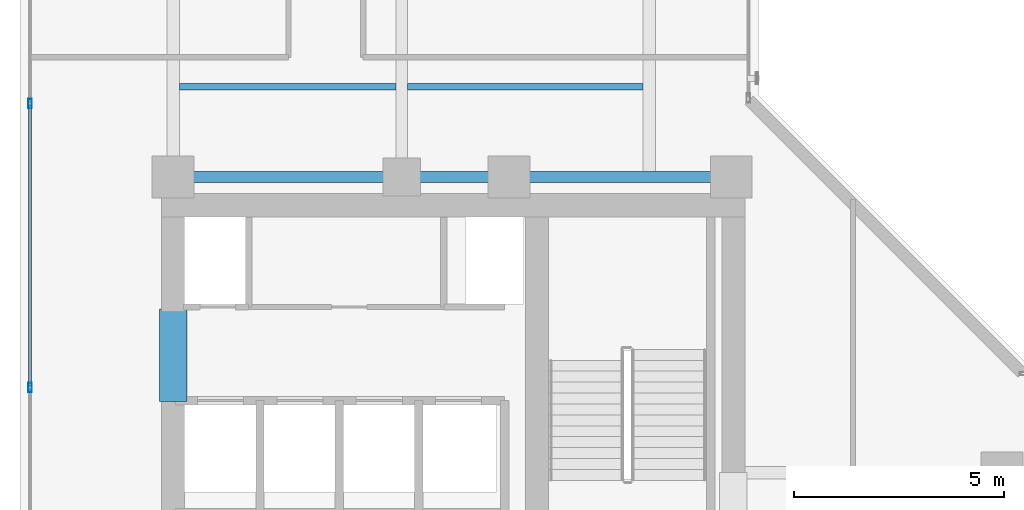
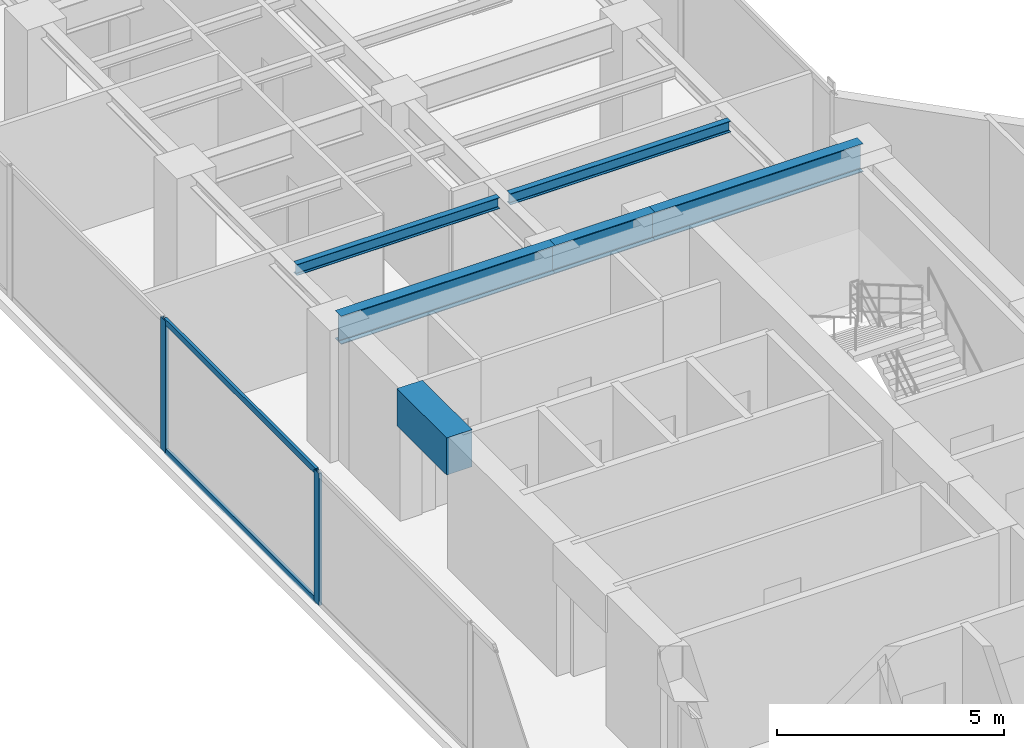
# One storey, part 7 of 22: 6 beams, 4 members, 1 element without a shape of its own.
"""IFC4 building model written with IfcOpenShell, lengths in metres."""

from ifc_helpers import new_model, si_unit, direction, frame, origin, origin_with_axes, origin_2d, place, context, subcontext, project, spatial, rectangle, hollow_rectangle, i_section, extrude, source, transform, mapped, material, layer, layer_set, material_profile, profile_set, type_object, element, aggregate, save


model = new_model("IFC4")

# Units and contexts
model_context = context("Model", 3, precision=1e-05, world=origin(), true_north=direction((0.0, 1.0)))
body_context = subcontext(model_context, "Body", "Model", "MODEL_VIEW")
ifc_project = project(units=[si_unit("LENGTHUNIT", "METRE"), si_unit("AREAUNIT", "SQUARE_METRE"), si_unit("VOLUMEUNIT", "CUBIC_METRE"), si_unit("PLANEANGLEUNIT", "RADIAN"), si_unit("MASSUNIT", "GRAM", prefix="KILO")], contexts=[model_context])

# Site, building, storey
site_placement = place(None, origin())
site = spatial("IfcSite", under=ifc_project, at=site_placement, CompositionType="ELEMENT")
building_placement = place(site_placement, origin())
building = spatial("IfcBuilding", under=site, at=building_placement, Name="Kolvaren Waterfront Exchange", CompositionType="ELEMENT")
storey_placement = place(building_placement, frame((0.0, 0.0, 246.300048828125)))
storey = spatial("IfcBuildingStorey", under=building, at=storey_placement, Name="L63", CompositionType="ELEMENT", Elevation=246.300048828125)

# Beams
ifc_material_1 = material(Name="Steel S355", Category="steel")
ifc_material_profile_1 = material_profile(ifc_material_1, i_section(OverallWidth=0.14990234375, OverallDepth=0.300048828125, WebThickness=0.007080078125, FlangeThickness=0.0107421875, FilletRadius=0.014892578125, at=origin_2d()), Name="IPE300")
ifc_profile_set_1 = profile_set([ifc_material_profile_1], Name="Steel S355")
beam_type_1 = type_object("IfcBeamType", Name="STR-BM-IPE300", PredefinedType="JOIST", material=ifc_profile_set_1)
beam_1_placement = place(storey_placement, frame((7.60205078125, 26.60009765625, 3.409912109375), z_axis=(1.0, 0.0, 0.0), x_axis=(0.0, 1.0, 0.0)))
element("IfcBeam", 1, at=beam_1_placement, inside=storey, type_object=beam_type_1, Name="L63 north-arm composite joist 1A", PredefinedType="JOIST", context=body_context, shape_type="SweptSolid", body=[
    extrude(i_section(OverallWidth=0.14990234375, OverallDepth=0.300048828125, WebThickness=0.007080078125, FlangeThickness=0.0107421875, FilletRadius=0.014892578125, at=origin_2d()), origin(), (0.0, 0.0, 1.0), 5.162353515625),
])
beam_2_placement = place(storey_placement, frame((13.035400390625, 26.60009765625, 3.409912109375), z_axis=(1.0, 0.0, 0.0), x_axis=(0.0, 1.0, 0.0)))
element("IfcBeam", 2, at=beam_2_placement, inside=storey, type_object=beam_type_1, Name="L63 north-arm composite joist 1B", PredefinedType="JOIST", context=body_context, shape_type="SweptSolid", body=[
    extrude(i_section(OverallWidth=0.14990234375, OverallDepth=0.300048828125, WebThickness=0.007080078125, FlangeThickness=0.0107421875, FilletRadius=0.014892578125, at=origin_2d()), origin(), (0.0, 0.0, 1.0), 5.612548828125),
])
ifc_material_profile_2 = material_profile(ifc_material_1, i_section(OverallWidth=0.26708984375, OverallDepth=0.761962890625, WebThickness=0.014404296875, FlangeThickness=0.021484375, FilletRadius=0.01708984375, at=origin_2d()), Name="IPE750x173")
ifc_profile_set_2 = profile_set([ifc_material_profile_2], Name="Steel S355")
beam_type_2 = type_object("IfcBeamType", Name="STR-BM-IPE750", PredefinedType="BEAM", material=ifc_profile_set_2)
beam_3_placement = place(storey_placement, frame((7.449951171875, 24.449951171875, 3.178955078125), z_axis=(1.0, 0.0, 0.0), x_axis=(0.0, 1.0, 0.0)))
element("IfcBeam", 3, at=beam_3_placement, inside=storey, type_object=beam_type_2, Name="L63 north-arm girder 1A", PredefinedType="BEAM", context=body_context, shape_type="SweptSolid", body=[
    extrude(i_section(OverallWidth=0.26708984375, OverallDepth=0.761962890625, WebThickness=0.014404296875, FlangeThickness=0.021484375, FilletRadius=0.01708984375, at=origin_2d()), origin(), (0.0, 0.0, 1.0), 5.449951171875),
])
beam_4_placement = place(storey_placement, frame((12.89990234375, 24.449951171875, 3.178955078125), z_axis=(1.0, 0.0, 0.0), x_axis=(0.0, 1.0, 0.0)))
element("IfcBeam", 4, at=beam_4_placement, inside=storey, type_object=beam_type_2, Name="L63 north-arm girder 1B", PredefinedType="BEAM", context=body_context, shape_type="SweptSolid", body=[
    extrude(i_section(OverallWidth=0.26708984375, OverallDepth=0.761962890625, WebThickness=0.014404296875, FlangeThickness=0.021484375, FilletRadius=0.01708984375, at=origin_2d()), origin(), (0.0, 0.0, 1.0), 2.550048828125),
])
beam_5_placement = place(storey_placement, frame((15.449951171875, 24.449951171875, 3.178955078125), z_axis=(1.0, 0.0, 0.0), x_axis=(0.0, 1.0, 0.0)))
element("IfcBeam", 5, at=beam_5_placement, inside=storey, type_object=beam_type_2, Name="L63 north-arm girder 1C", PredefinedType="BEAM", context=body_context, shape_type="SweptSolid", body=[
    extrude(i_section(OverallWidth=0.26708984375, OverallDepth=0.761962890625, WebThickness=0.014404296875, FlangeThickness=0.021484375, FilletRadius=0.01708984375, at=origin_2d()), origin(), (0.0, 0.0, 1.0), 5.300048828125),
])
ifc_material_2 = material(Name="Concrete C60/75", Category="concrete")
ifc_material_profile_3 = material_profile(ifc_material_2, rectangle(XDim=0.64990234375, YDim=1.0, at=origin_2d()), Name="RC-CB-1000x650")
ifc_profile_set_3 = profile_set([ifc_material_profile_3], Name="Concrete C60/75")
beam_type_3 = type_object("IfcBeamType", Name="STR-CB-1000", PredefinedType="SPANDREL", material=ifc_profile_set_3)
beam_6_placement = place(storey_placement, frame((7.449951171875, 19.10009765625, 3.06005859375), z_axis=(0.0, 1.0, 0.0), x_axis=(-1.0, 0.0, 0.0)))
element("IfcBeam", 6, at=beam_6_placement, inside=storey, type_object=beam_type_3, Name="L63 core coupling beam 5", PredefinedType="SPANDREL", context=body_context, shape_type="SweptSolid", body=[
    extrude(rectangle(XDim=0.64990234375, YDim=1.0, at=origin_2d()), origin(), (0.0, 0.0, 1.0), 2.199951171875),
])

# Curtain wall, members
ifc_material_3 = material(Name="Anodised aluminium 6063-T6", Category="aluminium")
ifc_layer = layer(ifc_material_3, 0.219970703125, Name="Anodised aluminium 6063-T6")
ifc_layer_set = layer_set([ifc_layer], Name="Anodised aluminium 6063-T6")
curtain_wall_type = type_object("IfcCurtainWallType", Name="ARC-CW-SYS2", PredefinedType="USERDEFINED", material=ifc_layer_set)
curtain_wall_placement = place(storey_placement, origin())
curtain_wall = element("IfcCurtainWall", 7, at=curtain_wall_placement, inside=storey, type_object=curtain_wall_type, Name="L63 stick curtain wall CW2 (CW-L63-W)", ObjectType="STICK CURTAIN WALL", PredefinedType="USERDEFINED")
ifc_material_profile_4 = material_profile(ifc_material_3, hollow_rectangle(XDim=0.080078125, YDim=0.219970703125, WallThickness=0.0048828125, at=origin_2d()), Name="ALU-MUL-220x80x5")
ifc_profile_set_4 = profile_set([ifc_material_profile_4], Name="Anodised aluminium 6063-T6")
member_type_1 = type_object("IfcMemberType", Name="ARC-CWM-220", PredefinedType="MULLION", material=ifc_profile_set_4)
shared_shape_1 = source(origin_with_axes(), body_context, "Body", "SweptSolid", [
    extrude(hollow_rectangle(XDim=0.080078125, YDim=0.219970703125, WallThickness=0.0048828125, at=origin_2d()), origin(), (0.0, 0.0, 1.0), 3.56005859375),
])
member_1_placement = place(storey_placement, frame((4.0400390625, 19.433349609375, 0.0), z_axis=(0.0, 0.0, 1.0), x_axis=(-1.0, 0.0, 0.0)))
member_1 = element("IfcMember", 8, at=member_1_placement, type_object=member_type_1, Name="CW2 mullion 3", PredefinedType="MULLION", context=body_context, shape_type="MappedRepresentation", body=[
    mapped(shared_shape_1, transform((0.0, 0.0, 0.0), x_axis=(1.0, 0.0, 0.0), y_axis=(0.0, 1.0, 0.0), z_axis=(0.0, 0.0, 1.0), scale=1.0)),
])
member_2_placement = place(storey_placement, frame((4.0400390625, 26.199951171875, 0.0), z_axis=(0.0, 0.0, 1.0), x_axis=(-1.0, 0.0, 0.0)))
member_2 = element("IfcMember", 9, at=member_2_placement, type_object=member_type_1, Name="CW2 mullion 4", PredefinedType="MULLION", context=body_context, shape_type="MappedRepresentation", body=[
    mapped(shared_shape_1, transform((0.0, 0.0, 0.0), x_axis=(1.0, 0.0, 0.0), y_axis=(0.0, 1.0, 0.0), z_axis=(0.0, 0.0, 1.0), scale=1.0)),
])
ifc_material_profile_5 = material_profile(ifc_material_3, hollow_rectangle(XDim=0.074951171875, YDim=0.159912109375, WallThickness=0.00439453125, at=origin_2d()), Name="ALU-TRN-160x75x4.5")
ifc_profile_set_5 = profile_set([ifc_material_profile_5], Name="Anodised aluminium 6063-T6")
member_type_2 = type_object("IfcMemberType", Name="ARC-CWT-160", PredefinedType="USERDEFINED", material=ifc_profile_set_5)
shared_shape_2 = source(origin_with_axes(), body_context, "Body", "SweptSolid", [
    extrude(hollow_rectangle(XDim=0.074951171875, YDim=0.159912109375, WallThickness=0.00439453125, at=origin_2d()), origin(), (0.0, 0.0, 1.0), 6.6865234375),
])
member_3_placement = place(storey_placement, frame((4.0400390625, 19.473388671875, 0.037353515625), z_axis=(0.0, 1.0, 0.0), x_axis=(-1.0, 0.0, 0.0)))
member_3 = element("IfcMember", 10, at=member_3_placement, type_object=member_type_2, Name="CW2 transom 3.1", ObjectType="TRANSOM", PredefinedType="USERDEFINED", context=body_context, shape_type="MappedRepresentation", body=[
    mapped(shared_shape_2, transform((0.0, 0.0, 0.0), x_axis=(1.0, 0.0, 0.0), y_axis=(0.0, 1.0, 0.0), z_axis=(0.0, 0.0, 1.0), scale=1.0)),
])
member_4_placement = place(storey_placement, frame((4.0400390625, 19.473388671875, 3.5224609375), z_axis=(0.0, 1.0, 0.0), x_axis=(-1.0, 0.0, 0.0)))
member_4 = element("IfcMember", 11, at=member_4_placement, type_object=member_type_2, Name="CW2 transom 3.2", ObjectType="TRANSOM", PredefinedType="USERDEFINED", context=body_context, shape_type="MappedRepresentation", body=[
    mapped(shared_shape_2, transform((0.0, 0.0, 0.0), x_axis=(1.0, 0.0, 0.0), y_axis=(0.0, 1.0, 0.0), z_axis=(0.0, 0.0, 1.0), scale=1.0)),
])
aggregate(curtain_wall, [member_1, member_2, member_3, member_4])

save(model, "model.ifc")
